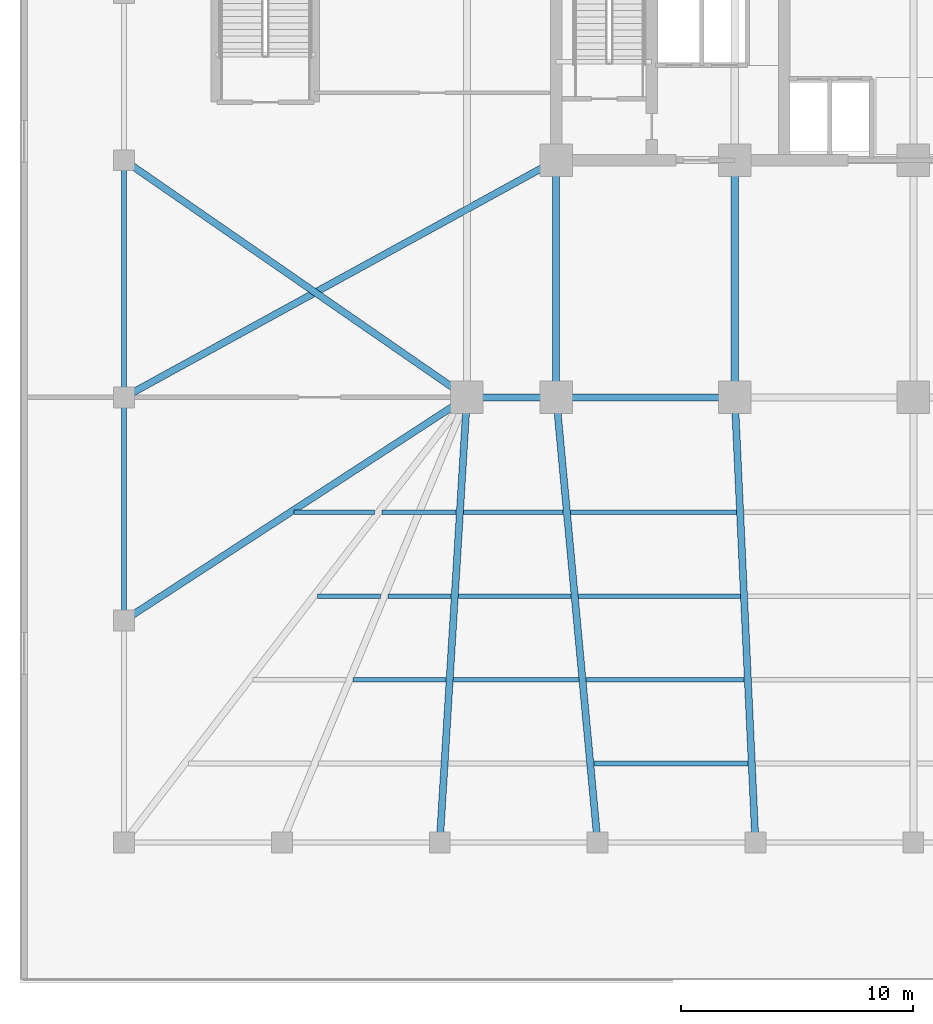
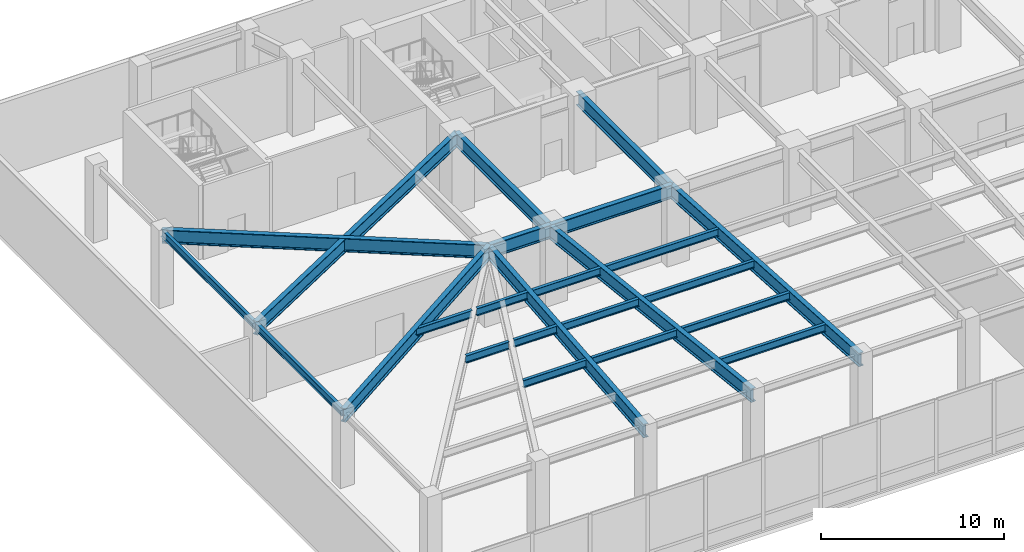
# One storey, part 5 of 19: 24 beams.
"""IFC4 building model written with IfcOpenShell, lengths in metres."""

from ifc_helpers import new_model, si_unit, direction, frame, origin, origin_2d, place, context, subcontext, project, spatial, i_section, extrude, material, material_profile, profile_set, type_object, element, save


model = new_model("IFC4")

# Units and contexts
model_context = context("Model", 3, precision=1e-05, world=origin(), true_north=direction((0.0, 1.0)))
body_context = subcontext(model_context, "Body", "Model", "MODEL_VIEW")
ifc_project = project(units=[si_unit("LENGTHUNIT", "METRE"), si_unit("AREAUNIT", "SQUARE_METRE"), si_unit("VOLUMEUNIT", "CUBIC_METRE"), si_unit("PLANEANGLEUNIT", "RADIAN"), si_unit("MASSUNIT", "GRAM", prefix="KILO")], contexts=[model_context])

# Site, building, storey
site_placement = place(None, origin())
site = spatial("IfcSite", under=ifc_project, at=site_placement, CompositionType="ELEMENT")
building_placement = place(site_placement, origin())
building = spatial("IfcBuilding", under=site, at=building_placement, Name="Yelkora Congress Tower", CompositionType="ELEMENT")
storey_placement = place(building_placement, frame((0.0, 0.0, 5.199951171875)))
storey = spatial("IfcBuildingStorey", under=building, at=storey_placement, Name="L01", CompositionType="ELEMENT", Elevation=5.199951171875)

# Beams
ifc_material_1 = material(Name="Steel S460M", Category="steel")
ifc_material_profile_1 = material_profile(ifc_material_1, i_section(OverallWidth=0.302001953125, OverallDepth=0.909912109375, WebThickness=0.02099609375, FlangeThickness=0.0400390625, FilletRadius=0.030029296875, at=origin_2d()), Name="HEM 900")
ifc_profile_set_1 = profile_set([ifc_material_profile_1], Name="Steel S460M")
beam_type_1 = type_object("IfcBeamType", Name="BM-HALL-HEM900", PredefinedType="BEAM", material=ifc_profile_set_1)
beam_1_placement = place(storey_placement, frame((19.199951171875, 25.199951171875, 4.485107421875), z_axis=(1.0, 0.0, 0.0), x_axis=(0.0, 1.0, 0.0)))
element("IfcBeam", 1, at=beam_1_placement, inside=storey, type_object=beam_type_1, Name="L01 Spine Grid D Girder 1", PredefinedType="BEAM", context=body_context, shape_type="SweptSolid", body=[
    extrude(i_section(OverallWidth=0.302001953125, OverallDepth=0.909912109375, WebThickness=0.02099609375, FlangeThickness=0.0400390625, FilletRadius=0.030029296875, at=origin_2d()), origin(), (0.0, 0.0, 1.0), 3.840087890625),
])
beam_2_placement = place(storey_placement, frame((23.0400390625, 25.199951171875, 4.485107421875), z_axis=(1.0, 0.0, 0.0), x_axis=(0.0, 1.0, 0.0)))
element("IfcBeam", 2, at=beam_2_placement, inside=storey, type_object=beam_type_1, Name="L01 Spine Grid D Girder 2", PredefinedType="BEAM", context=body_context, shape_type="SweptSolid", body=[
    extrude(i_section(OverallWidth=0.302001953125, OverallDepth=0.909912109375, WebThickness=0.02099609375, FlangeThickness=0.0400390625, FilletRadius=0.030029296875, at=origin_2d()), origin(), (0.0, 0.0, 1.0), 7.679931640625),
])
for number, where, z_axis, x_axis, name in (
    (3, (23.0400390625, 25.199951171875, 4.485107421875), (0.0, 1.0, 0.0), (-1.0, 0.0, 0.0), "L01 Core Tie Girder MC-D1"),
    (4, (30.719970703125, 25.199951171875, 4.485107421875), (0.0, 1.0, 0.0), (-1.0, 0.0, 0.0), "L01 Core Tie Girder MC-D2"),
):
    element("IfcBeam", number, at=place(storey_placement, frame(where, z_axis=z_axis, x_axis=x_axis)), inside=storey, type_object=beam_type_1, Name=name, PredefinedType="BEAM", context=body_context, shape_type="SweptSolid", body=[
        extrude(i_section(OverallWidth=0.302001953125, OverallDepth=0.909912109375, WebThickness=0.02099609375, FlangeThickness=0.0400390625, FilletRadius=0.030029296875, at=origin_2d()), origin(), (0.0, 0.0, 1.0), 10.199951171875),
    ])
beam_3_placement = place(storey_placement, frame((18.030029296875, 6.050048828125, 4.485107421875), z_axis=(0.060979146345, 0.99813904027, 0.0), x_axis=(-0.99813904027, 0.060979146345, 0.0)))
element("IfcBeam", 5, at=beam_3_placement, inside=storey, type_object=beam_type_1, Name="L01 Primary Frame Girder PS03", PredefinedType="BEAM", context=body_context, shape_type="SweptSolid", body=[
    extrude(i_section(OverallWidth=0.302001953125, OverallDepth=0.909912109375, WebThickness=0.02099609375, FlangeThickness=0.0400390625, FilletRadius=0.030029296875, at=origin_2d()), origin(), (0.0, 0.0, 1.0), 19.185546875),
])
beam_4_placement = place(storey_placement, frame((24.820068359375, 6.050048828125, 4.485107421875), z_axis=(-0.092553417869, 0.995707720589, 0.0), x_axis=(-0.995707720589, -0.092553417869, 0.0)))
element("IfcBeam", 6, at=beam_4_placement, inside=storey, type_object=beam_type_1, Name="L01 Primary Frame Girder PS04", PredefinedType="BEAM", context=body_context, shape_type="SweptSolid", body=[
    extrude(i_section(OverallWidth=0.302001953125, OverallDepth=0.909912109375, WebThickness=0.02099609375, FlangeThickness=0.0400390625, FilletRadius=0.030029296875, at=origin_2d()), origin(), (0.0, 0.0, 1.0), 19.232421875),
])
beam_5_placement = place(storey_placement, frame((31.610107421875, 6.050048828125, 4.485107421875), z_axis=(-0.046432437641, 0.998921432714, 0.0), x_axis=(-0.998921432714, -0.046432437641, 0.0)))
element("IfcBeam", 7, at=beam_5_placement, inside=storey, type_object=beam_type_1, Name="L01 Primary Frame Girder PS05", PredefinedType="BEAM", context=body_context, shape_type="SweptSolid", body=[
    extrude(i_section(OverallWidth=0.302001953125, OverallDepth=0.909912109375, WebThickness=0.02099609375, FlangeThickness=0.0400390625, FilletRadius=0.030029296875, at=origin_2d()), origin(), (0.0, 0.0, 1.0), 19.170654296875),
])
beam_6_placement = place(storey_placement, frame((4.449951171875, 15.60009765625, 4.485107421875), z_axis=(0.83812272066, 0.545481718404, 0.0), x_axis=(-0.545481718404, 0.83812272066, 0.0)))
element("IfcBeam", 8, at=beam_6_placement, inside=storey, type_object=beam_type_1, Name="L01 Primary Frame Girder PW1", PredefinedType="BEAM", context=body_context, shape_type="SweptSolid", body=[
    extrude(i_section(OverallWidth=0.302001953125, OverallDepth=0.909912109375, WebThickness=0.02099609375, FlangeThickness=0.0400390625, FilletRadius=0.030029296875, at=origin_2d()), origin(), (0.0, 0.0, 1.0), 17.598876953125),
])
beam_7_placement = place(storey_placement, frame((4.449951171875, 25.199951171875, 4.485107421875), z_axis=(0.876705282536, 0.48102790727, 0.0), x_axis=(-0.48102790727, 0.876705282536, 0.0)))
element("IfcBeam", 9, at=beam_7_placement, inside=storey, type_object=beam_type_1, Name="L01 Primary Frame Girder PW2", PredefinedType="BEAM", context=body_context, shape_type="SweptSolid", body=[
    extrude(i_section(OverallWidth=0.302001953125, OverallDepth=0.909912109375, WebThickness=0.02099609375, FlangeThickness=0.0400390625, FilletRadius=0.030029296875, at=origin_2d()), origin(), (0.0, 0.0, 1.0), 21.20458984375),
])
beam_8_placement = place(storey_placement, frame((4.449951171875, 35.39990234375, 4.485107421875), z_axis=(0.822494466498, -0.568773111689, 0.0), x_axis=(0.568773111689, 0.822494466498, 0.0)))
element("IfcBeam", 10, at=beam_8_placement, inside=storey, type_object=beam_type_1, Name="L01 Primary Frame Girder PW3", PredefinedType="BEAM", context=body_context, shape_type="SweptSolid", body=[
    extrude(i_section(OverallWidth=0.302001953125, OverallDepth=0.909912109375, WebThickness=0.02099609375, FlangeThickness=0.0400390625, FilletRadius=0.030029296875, at=origin_2d()), origin(), (0.0, 0.0, 1.0), 17.933349609375),
])
ifc_material_2 = material(Name="Steel S355J2", Category="steel")
ifc_material_profile_2 = material_profile(ifc_material_2, i_section(OverallWidth=0.199951171875, OverallDepth=0.5, WebThickness=0.01025390625, FlangeThickness=0.01611328125, FilletRadius=0.02099609375, at=origin_2d()), Name="IPE 500")
ifc_profile_set_2 = profile_set([ifc_material_profile_2], Name="Steel S355J2")
beam_type_2 = type_object("IfcBeamType", Name="BM-JOIST-IPE500", PredefinedType="JOIST", material=ifc_profile_set_2)
beam_9_placement = place(storey_placement, frame((24.6640625, 9.449951171875, 4.68994140625), z_axis=(1.0, 0.0, 0.0), x_axis=(0.0, 1.0, 0.0)))
element("IfcBeam", 11, at=beam_9_placement, inside=storey, type_object=beam_type_2, Name="L01 Composite Floor Joist 4", PredefinedType="JOIST", context=body_context, shape_type="SweptSolid", body=[
    extrude(i_section(OverallWidth=0.199951171875, OverallDepth=0.5, WebThickness=0.01025390625, FlangeThickness=0.01611328125, FilletRadius=0.02099609375, at=origin_2d()), origin(), (0.0, 0.0, 1.0), 6.6279296875),
])
beam_10_placement = place(storey_placement, frame((14.309814453125, 13.050048828125, 4.68994140625), z_axis=(1.0, 0.0, 0.0), x_axis=(0.0, 1.0, 0.0)))
element("IfcBeam", 12, at=beam_10_placement, inside=storey, type_object=beam_type_2, Name="L01 Composite Floor Joist 12", PredefinedType="JOIST", context=body_context, shape_type="SweptSolid", body=[
    extrude(i_section(OverallWidth=0.199951171875, OverallDepth=0.5, WebThickness=0.01025390625, FlangeThickness=0.01611328125, FilletRadius=0.02099609375, at=origin_2d()), origin(), (0.0, 0.0, 1.0), 3.98779296875),
])
beam_11_placement = place(storey_placement, frame((18.61767578125, 13.050048828125, 4.68994140625), z_axis=(1.0, 0.0, 0.0), x_axis=(0.0, 1.0, 0.0)))
element("IfcBeam", 13, at=beam_11_placement, inside=storey, type_object=beam_type_2, Name="L01 Composite Floor Joist 13", PredefinedType="JOIST", context=body_context, shape_type="SweptSolid", body=[
    extrude(i_section(OverallWidth=0.199951171875, OverallDepth=0.5, WebThickness=0.01025390625, FlangeThickness=0.01611328125, FilletRadius=0.02099609375, at=origin_2d()), origin(), (0.0, 0.0, 1.0), 5.3916015625),
])
beam_12_placement = place(storey_placement, frame((24.329345703125, 13.050048828125, 4.68994140625), z_axis=(1.0, 0.0, 0.0), x_axis=(0.0, 1.0, 0.0)))
element("IfcBeam", 14, at=beam_12_placement, inside=storey, type_object=beam_type_2, Name="L01 Composite Floor Joist 14", PredefinedType="JOIST", context=body_context, shape_type="SweptSolid", body=[
    extrude(i_section(OverallWidth=0.199951171875, OverallDepth=0.5, WebThickness=0.01025390625, FlangeThickness=0.01611328125, FilletRadius=0.02099609375, at=origin_2d()), origin(), (0.0, 0.0, 1.0), 6.79541015625),
])
beam_13_placement = place(storey_placement, frame((12.7744140625, 16.64990234375, 4.68994140625), z_axis=(1.0, 0.0, 0.0), x_axis=(0.0, 1.0, 0.0)))
element("IfcBeam", 15, at=beam_13_placement, inside=storey, type_object=beam_type_2, Name="L01 Composite Floor Joist 21", PredefinedType="JOIST", context=body_context, shape_type="SweptSolid", body=[
    extrude(i_section(OverallWidth=0.199951171875, OverallDepth=0.5, WebThickness=0.01025390625, FlangeThickness=0.01611328125, FilletRadius=0.02099609375, at=origin_2d()), origin(), (0.0, 0.0, 1.0), 2.711669921875),
])
beam_14_placement = place(storey_placement, frame((15.80615234375, 16.64990234375, 4.68994140625), z_axis=(1.0, 0.0, 0.0), x_axis=(0.0, 1.0, 0.0)))
element("IfcBeam", 16, at=beam_14_placement, inside=storey, type_object=beam_type_2, Name="L01 Composite Floor Joist 22", PredefinedType="JOIST", context=body_context, shape_type="SweptSolid", body=[
    extrude(i_section(OverallWidth=0.199951171875, OverallDepth=0.5, WebThickness=0.01025390625, FlangeThickness=0.01611328125, FilletRadius=0.02099609375, at=origin_2d()), origin(), (0.0, 0.0, 1.0), 2.71142578125),
])
beam_15_placement = place(storey_placement, frame((18.837646484375, 16.64990234375, 4.68994140625), z_axis=(1.0, 0.0, 0.0), x_axis=(0.0, 1.0, 0.0)))
element("IfcBeam", 17, at=beam_15_placement, inside=storey, type_object=beam_type_2, Name="L01 Composite Floor Joist 23", PredefinedType="JOIST", context=body_context, shape_type="SweptSolid", body=[
    extrude(i_section(OverallWidth=0.199951171875, OverallDepth=0.5, WebThickness=0.01025390625, FlangeThickness=0.01611328125, FilletRadius=0.02099609375, at=origin_2d()), origin(), (0.0, 0.0, 1.0), 4.837158203125),
])
beam_16_placement = place(storey_placement, frame((23.99462890625, 16.64990234375, 4.68994140625), z_axis=(1.0, 0.0, 0.0), x_axis=(0.0, 1.0, 0.0)))
element("IfcBeam", 18, at=beam_16_placement, inside=storey, type_object=beam_type_2, Name="L01 Composite Floor Joist 24", PredefinedType="JOIST", context=body_context, shape_type="SweptSolid", body=[
    extrude(i_section(OverallWidth=0.199951171875, OverallDepth=0.5, WebThickness=0.01025390625, FlangeThickness=0.01611328125, FilletRadius=0.02099609375, at=origin_2d()), origin(), (0.0, 0.0, 1.0), 6.962890625),
])
beam_17_placement = place(storey_placement, frame((11.75439453125, 20.25, 4.68994140625), z_axis=(1.0, 0.0, 0.0), x_axis=(0.0, 1.0, 0.0)))
element("IfcBeam", 19, at=beam_17_placement, inside=storey, type_object=beam_type_2, Name="L01 Composite Floor Joist 32", PredefinedType="JOIST", context=body_context, shape_type="SweptSolid", body=[
    extrude(i_section(OverallWidth=0.199951171875, OverallDepth=0.5, WebThickness=0.01025390625, FlangeThickness=0.01611328125, FilletRadius=0.02099609375, at=origin_2d()), origin(), (0.0, 0.0, 1.0), 3.472900390625),
])
beam_18_placement = place(storey_placement, frame((15.54736328125, 20.25, 4.68994140625), z_axis=(1.0, 0.0, 0.0), x_axis=(0.0, 1.0, 0.0)))
element("IfcBeam", 20, at=beam_18_placement, inside=storey, type_object=beam_type_2, Name="L01 Composite Floor Joist 33", PredefinedType="JOIST", context=body_context, shape_type="SweptSolid", body=[
    extrude(i_section(OverallWidth=0.199951171875, OverallDepth=0.5, WebThickness=0.01025390625, FlangeThickness=0.01611328125, FilletRadius=0.02099609375, at=origin_2d()), origin(), (0.0, 0.0, 1.0), 3.190185546875),
])
beam_19_placement = place(storey_placement, frame((19.0576171875, 20.25, 4.68994140625), z_axis=(1.0, 0.0, 0.0), x_axis=(0.0, 1.0, 0.0)))
element("IfcBeam", 21, at=beam_19_placement, inside=storey, type_object=beam_type_2, Name="L01 Composite Floor Joist 34", PredefinedType="JOIST", context=body_context, shape_type="SweptSolid", body=[
    extrude(i_section(OverallWidth=0.199951171875, OverallDepth=0.5, WebThickness=0.01025390625, FlangeThickness=0.01611328125, FilletRadius=0.02099609375, at=origin_2d()), origin(), (0.0, 0.0, 1.0), 4.282470703125),
])
beam_20_placement = place(storey_placement, frame((23.66015625, 20.25, 4.68994140625), z_axis=(1.0, 0.0, 0.0), x_axis=(0.0, 1.0, 0.0)))
element("IfcBeam", 22, at=beam_20_placement, inside=storey, type_object=beam_type_2, Name="L01 Composite Floor Joist 35", PredefinedType="JOIST", context=body_context, shape_type="SweptSolid", body=[
    extrude(i_section(OverallWidth=0.199951171875, OverallDepth=0.5, WebThickness=0.01025390625, FlangeThickness=0.01611328125, FilletRadius=0.02099609375, at=origin_2d()), origin(), (0.0, 0.0, 1.0), 7.1298828125),
])
ifc_material_profile_3 = material_profile(ifc_material_2, i_section(OverallWidth=0.199951171875, OverallDepth=0.5, WebThickness=0.01025390625, FlangeThickness=0.01611328125, FilletRadius=0.02099609375, at=origin_2d()), Name="IPE 500")
ifc_profile_set_3 = profile_set([ifc_material_profile_3], Name="Steel S355J2")
beam_type_3 = type_object("IfcBeamType", Name="BM-SPAN-IPE500B", PredefinedType="BEAM", material=ifc_profile_set_3)
beam_21_placement = place(storey_placement, frame((4.449951171875, 35.39990234375, 4.68994140625), z_axis=(0.0, -1.0, 0.0), x_axis=(1.0, 0.0, 0.0)))
element("IfcBeam", 23, at=beam_21_placement, inside=storey, type_object=beam_type_3, Name="L01 Perimeter Beam 23", PredefinedType="BEAM", context=body_context, shape_type="SweptSolid", body=[
    extrude(i_section(OverallWidth=0.199951171875, OverallDepth=0.5, WebThickness=0.01025390625, FlangeThickness=0.01611328125, FilletRadius=0.02099609375, at=origin_2d()), origin(), (0.0, 0.0, 1.0), 10.199951171875),
])
beam_22_placement = place(storey_placement, frame((4.449951171875, 25.199951171875, 4.68994140625), z_axis=(0.0, -1.0, 0.0), x_axis=(1.0, 0.0, 0.0)))
element("IfcBeam", 24, at=beam_22_placement, inside=storey, type_object=beam_type_3, Name="L01 Perimeter Beam 24", PredefinedType="BEAM", context=body_context, shape_type="SweptSolid", body=[
    extrude(i_section(OverallWidth=0.199951171875, OverallDepth=0.5, WebThickness=0.01025390625, FlangeThickness=0.01611328125, FilletRadius=0.02099609375, at=origin_2d()), origin(), (0.0, 0.0, 1.0), 9.599853515625),
])

save(model, "model.ifc")
